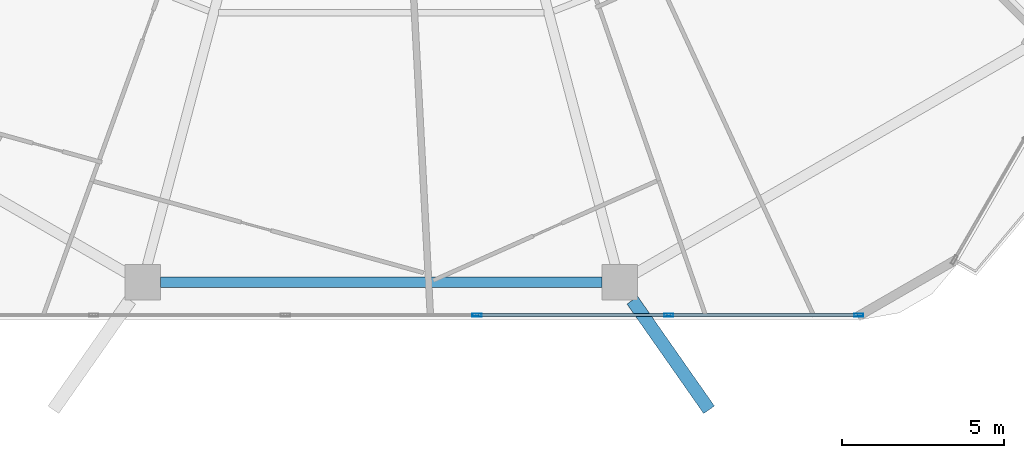
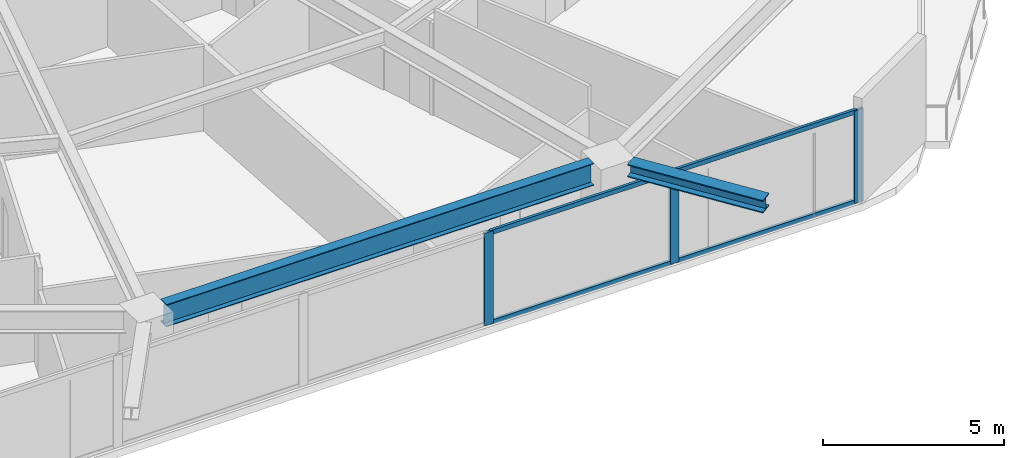
# One storey, part 7 of 32: 7 members, 2 beams, 1 element without a shape of its own.
"""IFC4 building model written with IfcOpenShell, lengths in metres."""

from ifc_helpers import new_model, si_unit, direction, frame, origin, origin_2d, place, context, subcontext, project, spatial, hollow_rectangle, i_section, extrude, material, material_profile, profile_set, type_object, element, aggregate, save


model = new_model("IFC4")

# Units and contexts
model_context = context("Model", 3, precision=1e-05, world=origin(), true_north=direction((0.0, 1.0)))
body_context = subcontext(model_context, "Body", "Model", "MODEL_VIEW")
ifc_project = project(units=[si_unit("LENGTHUNIT", "METRE"), si_unit("AREAUNIT", "SQUARE_METRE"), si_unit("VOLUMEUNIT", "CUBIC_METRE"), si_unit("PLANEANGLEUNIT", "RADIAN"), si_unit("MASSUNIT", "GRAM", prefix="KILO")], contexts=[model_context])

# Site, building, storey
site_placement = place(None, origin())
site = spatial("IfcSite", under=ifc_project, at=site_placement, CompositionType="ELEMENT")
building_placement = place(site_placement, origin())
building = spatial("IfcBuilding", under=site, at=building_placement, Name="Zuhravey Tower", CompositionType="ELEMENT")
storey_placement = place(building_placement, frame((0.0, 0.0, 119.0)))
storey = spatial("IfcBuildingStorey", under=building, at=storey_placement, Name="L29", CompositionType="ELEMENT", Elevation=119.0)

# Curtain wall, members
ifc_material_1 = material(Name="Thermally broken anodised aluminium", Category="aluminium")
curtain_wall_type = type_object("IfcCurtainWallType", Name="Zone 1-2 Residential Curtain Wall CW3", PredefinedType="NOTDEFINED", material=ifc_material_1)
curtain_wall_placement = place(storey_placement, origin())
curtain_wall = element("IfcCurtainWall", 1, at=curtain_wall_placement, inside=storey, type_object=curtain_wall_type, Name="L29 CW3 CW-L29-F5-1", PredefinedType="NOTDEFINED")
ifc_material_2 = material(Name="Anodised aluminium", Category="aluminium")
ifc_material_profile_1 = material_profile(ifc_material_2, hollow_rectangle(XDim=0.090087890625, YDim=0.284912109375, WallThickness=0.0048828125, at=origin_2d()), Name="ALU-RHS-90x285x5")
ifc_profile_set_1 = profile_set([ifc_material_profile_1], Name="Anodised aluminium")
member_type_1 = type_object("IfcMemberType", Name="Curtain-Wall Mullion 90x180", PredefinedType="MULLION", material=ifc_profile_set_1)
member_1_placement = place(storey_placement, frame((50.75439453125, 3.04150390625, 0.0), z_axis=(0.0, 0.0, 1.0), x_axis=(0.0, -1.0, 0.0)))
member_1 = element("IfcMember", 2, at=member_1_placement, type_object=member_type_1, Name="CW3 mullion 1", PredefinedType="MULLION", context=body_context, shape_type="SweptSolid", body=[
    extrude(hollow_rectangle(XDim=0.090087890625, YDim=0.284912109375, WallThickness=0.0048828125, at=origin_2d()), origin(), (0.0, 0.0, 1.0), 3.1220703125),
])
member_2_placement = place(storey_placement, frame((44.879638671875, 3.04150390625, 0.0), z_axis=(0.0, 0.0, 1.0), x_axis=(0.0, -1.0, 0.0)))
member_2 = element("IfcMember", 3, at=member_2_placement, type_object=member_type_1, Name="CW3 mullion 2", PredefinedType="MULLION", context=body_context, shape_type="SweptSolid", body=[
    extrude(hollow_rectangle(XDim=0.090087890625, YDim=0.284912109375, WallThickness=0.0048828125, at=origin_2d()), origin(), (0.0, 0.0, 1.0), 3.1220703125),
])
member_3_placement = place(storey_placement, frame((38.9599609375, 3.04150390625, 0.0), z_axis=(0.0, 0.0, 1.0), x_axis=(0.0, -1.0, 0.0)))
member_3 = element("IfcMember", 4, at=member_3_placement, type_object=member_type_1, Name="CW3 mullion 3", PredefinedType="MULLION", context=body_context, shape_type="SweptSolid", body=[
    extrude(hollow_rectangle(XDim=0.090087890625, YDim=0.284912109375, WallThickness=0.0048828125, at=origin_2d()), origin(), (0.0, 0.0, 1.0), 3.1220703125),
])
ifc_material_profile_2 = material_profile(ifc_material_2, hollow_rectangle(XDim=0.090087890625, YDim=0.14990234375, WallThickness=0.0048828125, at=origin_2d()), Name="ALU-RHS-90x150x5")
ifc_profile_set_2 = profile_set([ifc_material_profile_2], Name="Anodised aluminium")
member_type_2 = type_object("IfcMemberType", Name="Curtain-Wall Transom 90x150", PredefinedType="USERDEFINED", material=ifc_profile_set_2)
member_4_placement = place(storey_placement, frame((50.70947265625, 3.04150390625, 0.044921875), z_axis=(-1.0, 0.0, 0.0), x_axis=(0.0, -1.0, 0.0)))
member_4 = element("IfcMember", 5, at=member_4_placement, type_object=member_type_2, Name="CW3 transom 1.1", ObjectType="TRANSOM", PredefinedType="USERDEFINED", context=body_context, shape_type="SweptSolid", body=[
    extrude(hollow_rectangle(XDim=0.090087890625, YDim=0.14990234375, WallThickness=0.0048828125, at=origin_2d()), origin(), (0.0, 0.0, 1.0), 5.78466796875),
])
member_5_placement = place(storey_placement, frame((50.70947265625, 3.04150390625, 3.076904296875), z_axis=(-1.0, 0.0, 0.0), x_axis=(0.0, -1.0, 0.0)))
member_5 = element("IfcMember", 6, at=member_5_placement, type_object=member_type_2, Name="CW3 transom 1.2", ObjectType="TRANSOM", PredefinedType="USERDEFINED", context=body_context, shape_type="SweptSolid", body=[
    extrude(hollow_rectangle(XDim=0.090087890625, YDim=0.14990234375, WallThickness=0.0048828125, at=origin_2d()), origin(), (0.0, 0.0, 1.0), 5.78466796875),
])
member_6_placement = place(storey_placement, frame((44.834716796875, 3.04150390625, 0.044921875), z_axis=(-1.0, 0.0, 0.0), x_axis=(0.0, -1.0, 0.0)))
member_6 = element("IfcMember", 7, at=member_6_placement, type_object=member_type_2, Name="CW3 transom 2.1", ObjectType="TRANSOM", PredefinedType="USERDEFINED", context=body_context, shape_type="SweptSolid", body=[
    extrude(hollow_rectangle(XDim=0.090087890625, YDim=0.14990234375, WallThickness=0.0048828125, at=origin_2d()), origin(), (0.0, 0.0, 1.0), 5.829833984375),
])
member_7_placement = place(storey_placement, frame((44.834716796875, 3.04150390625, 3.076904296875), z_axis=(-1.0, 0.0, 0.0), x_axis=(0.0, -1.0, 0.0)))
member_7 = element("IfcMember", 8, at=member_7_placement, type_object=member_type_2, Name="CW3 transom 2.2", ObjectType="TRANSOM", PredefinedType="USERDEFINED", context=body_context, shape_type="SweptSolid", body=[
    extrude(hollow_rectangle(XDim=0.090087890625, YDim=0.14990234375, WallThickness=0.0048828125, at=origin_2d()), origin(), (0.0, 0.0, 1.0), 5.829833984375),
])
aggregate(curtain_wall, [member_1, member_2, member_3, member_4, member_5, member_6, member_7])

# Beams
ifc_material_3 = material(Name="Steel SM460", Category="steel")
ifc_material_profile_3 = material_profile(ifc_material_3, i_section(OverallWidth=0.406982421875, OverallDepth=0.427978515625, WebThickness=0.02001953125, FlangeThickness=0.034912109375, at=origin_2d()), Name="H-428x407x20x35")
ifc_profile_set_3 = profile_set([ifc_material_profile_3], Name="Steel SM460")
beam_type_1 = type_object("IfcBeamType", Name="Exoskeleton Node Tie Beam H428x407", PredefinedType="BEAM", material=ifc_profile_set_3)
beam_1_placement = place(storey_placement, frame((43.757568359375, 3.498291015625, 3.3359375), z_axis=(0.573696273938, -0.819068120042, 0.0), x_axis=(0.819068120042, 0.573696273938, 0.0)))
element("IfcBeam", 9, at=beam_1_placement, inside=storey, type_object=beam_type_1, Name="L29 Exoskeleton Node Tie NT1-10", PredefinedType="BEAM", context=body_context, shape_type="SweptSolid", body=[
    extrude(i_section(OverallWidth=0.406982421875, OverallDepth=0.427978515625, WebThickness=0.02001953125, FlangeThickness=0.034912109375, at=origin_2d()), origin(), (0.0, 0.0, 1.0), 4.132080078125),
])
ifc_material_4 = material(Name="Steel SM355", Category="steel")
ifc_material_profile_4 = material_profile(ifc_material_4, i_section(OverallWidth=0.320068359375, OverallDepth=0.75, WebThickness=0.013916015625, FlangeThickness=0.02490234375, at=origin_2d()), Name="H-750x320x14x25")
ifc_profile_set_4 = profile_set([ifc_material_profile_4], Name="Steel SM355")
beam_type_2 = type_object("IfcBeamType", Name="Perimeter Ring Beam H750x320", PredefinedType="BEAM", material=ifc_profile_set_4)
beam_2_placement = place(storey_placement, frame((29.18310546875, 4.051513671875, 3.175048828125), z_axis=(1.0, 0.0, 0.0), x_axis=(0.0, 1.0, 0.0)))
element("IfcBeam", 10, at=beam_2_placement, inside=storey, type_object=beam_type_2, Name="L29 PB1 BM-L29-PB-09", PredefinedType="BEAM", context=body_context, shape_type="SweptSolid", body=[
    extrude(i_section(OverallWidth=0.320068359375, OverallDepth=0.75, WebThickness=0.013916015625, FlangeThickness=0.02490234375, at=origin_2d()), origin(), (0.0, 0.0, 1.0), 13.6337890625),
])

save(model, "model.ifc")
